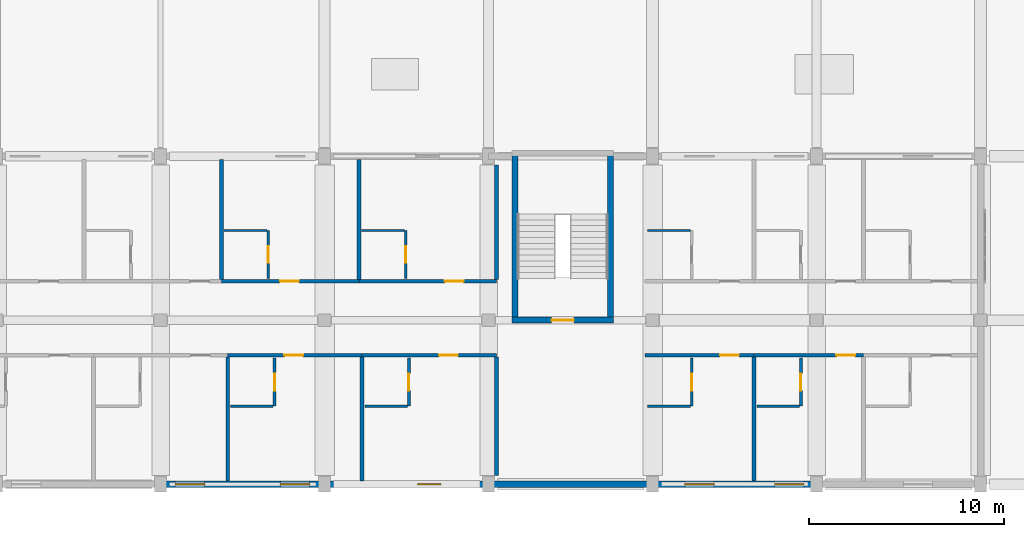
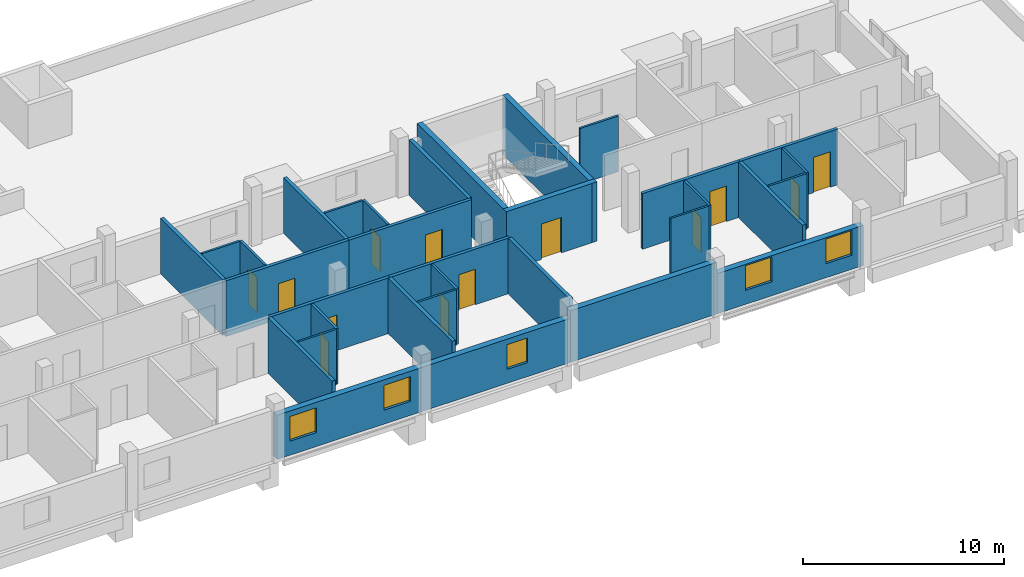
# One storey, part 37 of 42: 32 walls, 13 doors, 5 windows, 18 openings.
"""IFC4 building model written with IfcOpenShell, lengths in metres."""

from ifc_helpers import new_model, si_unit, derived_unit, direction, frame, frame_2d, origin, place, context, subcontext, project, spatial, rectangle, extrude, material, layer, layer_set, type_object, element, fill, save


model = new_model("IFC4")

# Units and contexts
model_context = context("Model", 3, precision=1e-05, world=origin(), true_north=direction((0.0, 1.0)))
body_context = subcontext(model_context, "Body", "Model", "MODEL_VIEW")
ifc_project = project(units=[si_unit("LENGTHUNIT", "METRE"), si_unit("AREAUNIT", "SQUARE_METRE"), si_unit("VOLUMEUNIT", "CUBIC_METRE"), si_unit("PLANEANGLEUNIT", "RADIAN"), si_unit("MASSUNIT", "GRAM", prefix="KILO"), derived_unit("THERMALTRANSMITTANCEUNIT", [(si_unit("POWERUNIT", "WATT"), 1), (si_unit("LENGTHUNIT", "METRE"), -2), (si_unit("THERMODYNAMICTEMPERATUREUNIT", "KELVIN"), -1)])], contexts=[model_context])

# Site, building, storey
site_placement = place(None, origin())
site = spatial("IfcSite", under=ifc_project, at=site_placement, CompositionType="ELEMENT")
building_placement = place(site_placement, origin())
building = spatial("IfcBuilding", under=site, at=building_placement, Name="Barrovel Congress Hotel", CompositionType="ELEMENT")
storey_placement = place(building_placement, frame((0.0, 0.0, 18.300048828125)))
storey = spatial("IfcBuildingStorey", under=building, at=storey_placement, Name="L04", CompositionType="ELEMENT", Elevation=18.300048828125)

# Wall, openings, windows
ifc_material_1 = material(Name="Fired Clay Brick Masonry", Category="masonry")
ifc_layer_1 = layer(ifc_material_1, 0.340087890625)
ifc_layer_set_1 = layer_set([ifc_layer_1], Name="Fired Clay Brick Masonry")
wall_type_1 = type_object("IfcWallType", Name="EW-BRK340", PredefinedType="STANDARD", material=ifc_layer_set_1)
wall_1_placement = place(storey_placement, frame((126.0, 4.199951171875, 0.0), z_axis=(0.0, 0.0, 1.0), x_axis=(1.0, 0.0, 0.0)))
wall_1 = element("IfcWall", 1, at=wall_1_placement, inside=storey, type_object=wall_type_1, Name="EW:L04:HS-S:P12", PredefinedType="STANDARD", context=body_context, shape_type="SweptSolid", body=[
    extrude(rectangle(XDim=16.800048828125, YDim=0.340087890625, at=frame_2d((8.39990234375, 0.0))), origin(), (0.0, 0.0, 1.0), 2.679931640625),
])
opening_1_placement = place(wall_1_placement, frame((0.75, 0.0, 0.85009765625)))
opening_1 = element("IfcOpeningElement", 2, at=opening_1_placement, cuts=wall_1, Name="Opening WN-07", PredefinedType="OPENING", context=body_context, shape_type="SweptSolid", body=[
    extrude(rectangle(XDim=1.5, YDim=1.5, at=frame_2d((0.75, 0.75))), frame((0.0, 0.18017578125, 0.0), z_axis=(0.0, -1.0, 0.0), x_axis=(1.0, 0.0, 0.0)), (0.0, 0.0, 1.0), 0.360107421875),
])
opening_2_placement = place(wall_1_placement, frame((6.1298828125, 0.0, 0.85009765625)))
opening_2 = element("IfcOpeningElement", 3, at=opening_2_placement, cuts=wall_1, Name="Opening WN-07", PredefinedType="OPENING", context=body_context, shape_type="SweptSolid", body=[
    extrude(rectangle(XDim=1.5, YDim=1.5, at=frame_2d((0.75, 0.75))), frame((0.0, 0.18017578125, 0.0), z_axis=(0.0, -1.0, 0.0), x_axis=(1.0, 0.0, 0.0)), (0.0, 0.0, 1.0), 0.360107421875),
])
opening_3_placement = place(wall_1_placement, frame((13.159912109375, 0.0, 0.85009765625)))
opening_3 = element("IfcOpeningElement", 4, at=opening_3_placement, cuts=wall_1, Name="Opening WN-06", PredefinedType="OPENING", context=body_context, shape_type="SweptSolid", body=[
    extrude(rectangle(XDim=1.199951171875, YDim=1.5, at=frame_2d((0.60009765625, 0.75))), frame((0.0, 0.18017578125, 0.0), z_axis=(0.0, -1.0, 0.0), x_axis=(1.0, 0.0, 0.0)), (0.0, 0.0, 1.0), 0.360107421875),
])
ifc_material_2 = material(Name="Double Low-E Insulated Glazing", Category="glass")
window_type_1 = type_object("IfcWindowType", Name="WIN-WN-06", PartitioningType="SINGLE_PANEL", PredefinedType="WINDOW", material=ifc_material_2)
window_1_placement = place(opening_3_placement, origin())
window_1 = element("IfcWindow", 5, at=window_1_placement, inside=storey, type_object=window_type_1, Name="WIN:L04:U17", OverallHeight=1.5, OverallWidth=1.199951171875, PartitioningType="SINGLE_PANEL", PredefinedType="WINDOW", context=body_context, shape_type="SweptSolid", body=[
    extrude(rectangle(XDim=1.199951171875, YDim=1.5, at=frame_2d((0.60009765625, 0.75))), frame((0.0, 0.030029296875, 0.0), z_axis=(0.0, -1.0, 0.0), x_axis=(1.0, 0.0, 0.0)), (0.0, 0.0, 1.0), 0.06005859375),
])
fill(opening_3, window_1)
window_type_2 = type_object("IfcWindowType", Name="WIN-WN-07", PartitioningType="SINGLE_PANEL", PredefinedType="WINDOW", material=ifc_material_2)
window_2_placement = place(opening_1_placement, origin())
window_2 = element("IfcWindow", 6, at=window_2_placement, inside=storey, type_object=window_type_2, Name="WIN:L04:U15", OverallHeight=1.5, OverallWidth=1.5, PartitioningType="SINGLE_PANEL", PredefinedType="WINDOW", context=body_context, shape_type="SweptSolid", body=[
    extrude(rectangle(XDim=1.5, YDim=1.5, at=frame_2d((0.75, 0.75))), frame((0.0, 0.030029296875, 0.0), z_axis=(0.0, -1.0, 0.0), x_axis=(1.0, 0.0, 0.0)), (0.0, 0.0, 1.0), 0.06005859375),
])
fill(opening_1, window_2)
window_3_placement = place(opening_2_placement, origin())
window_3 = element("IfcWindow", 7, at=window_3_placement, inside=storey, type_object=window_type_2, Name="WIN:L04:U16", OverallHeight=1.5, OverallWidth=1.5, PartitioningType="SINGLE_PANEL", PredefinedType="WINDOW", context=body_context, shape_type="SweptSolid", body=[
    extrude(rectangle(XDim=1.5, YDim=1.5, at=frame_2d((0.75, 0.75))), frame((0.0, 0.030029296875, 0.0), z_axis=(0.0, -1.0, 0.0), x_axis=(1.0, 0.0, 0.0)), (0.0, 0.0, 1.0), 0.06005859375),
])
fill(opening_2, window_3)

# Wall
wall_2_placement = place(storey_placement, frame((142.800048828125, 4.199951171875, 0.0), z_axis=(0.0, 0.0, 1.0), x_axis=(1.0, 0.0, 0.0)))
element("IfcWall", 8, at=wall_2_placement, inside=storey, type_object=wall_type_1, Name="EW:L04:HS-S:P13", PredefinedType="STANDARD", context=body_context, shape_type="SweptSolid", body=[
    extrude(rectangle(XDim=8.39990234375, YDim=0.340087890625, at=frame_2d((4.199951171875, 0.0))), origin(), (0.0, 0.0, 1.0), 3.1259765625),
])

# Wall, openings, windows
wall_3_placement = place(storey_placement, frame((151.199951171875, 4.199951171875, 0.0), z_axis=(0.0, 0.0, 1.0), x_axis=(1.0, 0.0, 0.0)))
wall_3 = element("IfcWall", 9, at=wall_3_placement, inside=storey, type_object=wall_type_1, Name="EW:L04:HS-S:P14", PredefinedType="STANDARD", context=body_context, shape_type="SweptSolid", body=[
    extrude(rectangle(XDim=8.400146484375, YDim=0.340087890625, at=frame_2d((4.2001953125, 0.0))), origin(), (0.0, 0.0, 1.0), 2.429931640625),
])
opening_4_placement = place(wall_3_placement, frame((1.64990234375, 0.0, 0.85009765625)))
opening_4 = element("IfcOpeningElement", 10, at=opening_4_placement, cuts=wall_3, Name="Opening WN-07", PredefinedType="OPENING", context=body_context, shape_type="SweptSolid", body=[
    extrude(rectangle(XDim=1.5, YDim=1.5, at=frame_2d((0.75, 0.75))), frame((0.0, 0.18017578125, 0.0), z_axis=(0.0, -1.0, 0.0), x_axis=(1.0, 0.0, 0.0)), (0.0, 0.0, 1.0), 0.360107421875),
])
opening_5_placement = place(wall_3_placement, frame((6.25, 0.0, 0.85009765625)))
opening_5 = element("IfcOpeningElement", 11, at=opening_5_placement, cuts=wall_3, Name="Opening WN-07", PredefinedType="OPENING", context=body_context, shape_type="SweptSolid", body=[
    extrude(rectangle(XDim=1.5, YDim=1.5, at=frame_2d((0.75, 0.75))), frame((0.0, 0.18017578125, 0.0), z_axis=(0.0, -1.0, 0.0), x_axis=(1.0, 0.0, 0.0)), (0.0, 0.0, 1.0), 0.360107421875),
])
window_4_placement = place(opening_4_placement, origin())
window_4 = element("IfcWindow", 12, at=window_4_placement, inside=storey, type_object=window_type_2, Name="WIN:L04:U18", OverallHeight=1.5, OverallWidth=1.5, PartitioningType="SINGLE_PANEL", PredefinedType="WINDOW", context=body_context, shape_type="SweptSolid", body=[
    extrude(rectangle(XDim=1.5, YDim=1.5, at=frame_2d((0.75, 0.75))), frame((0.0, 0.030029296875, 0.0), z_axis=(0.0, -1.0, 0.0), x_axis=(1.0, 0.0, 0.0)), (0.0, 0.0, 1.0), 0.06005859375),
])
fill(opening_4, window_4)
window_5_placement = place(opening_5_placement, origin())
window_5 = element("IfcWindow", 13, at=window_5_placement, inside=storey, type_object=window_type_2, Name="WIN:L04:U19", OverallHeight=1.5, OverallWidth=1.5, PartitioningType="SINGLE_PANEL", PredefinedType="WINDOW", context=body_context, shape_type="SweptSolid", body=[
    extrude(rectangle(XDim=1.5, YDim=1.5, at=frame_2d((0.75, 0.75))), frame((0.0, 0.030029296875, 0.0), z_axis=(0.0, -1.0, 0.0), x_axis=(1.0, 0.0, 0.0)), (0.0, 0.0, 1.0), 0.06005859375),
])
fill(opening_5, window_5)

# Wall, opening, door
ifc_material_3 = material(Name="Gypsum Acoustic Stud", Category="gypsum")
ifc_layer_2 = layer(ifc_material_3, 0.179931640625)
ifc_layer_set_2 = layer_set([ifc_layer_2], Name="Gypsum Acoustic Stud")
wall_type_2 = type_object("IfcWallType", Name="PW-ACU-180", PredefinedType="PARTITIONING", material=ifc_layer_set_2)
wall_4_placement = place(storey_placement, frame((129.43994140625, 10.800048828125, 0.0), z_axis=(0.0, 0.0, 1.0), x_axis=(1.0, 0.0, 0.0)))
wall_4 = element("IfcWall", 14, at=wall_4_placement, inside=storey, type_object=wall_type_2, Name="PW:L04:U16:COR", PredefinedType="PARTITIONING", context=body_context, shape_type="SweptSolid", body=[
    extrude(rectangle(XDim=6.880126953125, YDim=0.179931640625, at=frame_2d((3.43994140625, 0.0))), origin(), (0.0, 0.0, 1.0), 3.375),
])
opening_6_placement = place(wall_4_placement, frame((2.902587890625, 0.0, 0.0)))
opening_6 = element("IfcOpeningElement", 15, at=opening_6_placement, cuts=wall_4, Name="Opening ID-HTL", PredefinedType="OPENING", context=body_context, shape_type="SweptSolid", body=[
    extrude(rectangle(XDim=0.9599609375, YDim=2.14990234375, at=frame_2d((0.47998046875, 1.074951171875))), frame((0.0, 0.10009765625, 0.0), z_axis=(0.0, -1.0, 0.0), x_axis=(1.0, 0.0, 0.0)), (0.0, 0.0, 1.0), 0.199951171875),
])
ifc_material_4 = material(Name="Solid Oak Acoustic Timber Door", Category="wood")
door_type_1 = type_object("IfcDoorType", Name="IDR-ID-HTL", OperationType="NOTDEFINED", PredefinedType="DOOR", material=ifc_material_4)
door_1_placement = place(opening_6_placement, origin())
door_1 = element("IfcDoor", 16, at=door_1_placement, inside=storey, type_object=door_type_1, Name="DR:L04:U16:ENT", OperationType="SINGLE_SWING_RIGHT", OverallHeight=2.14990234375, OverallWidth=0.9599609375, PredefinedType="DOOR", context=body_context, shape_type="SweptSolid", body=[
    extrude(rectangle(XDim=0.9599609375, YDim=2.14990234375, at=frame_2d((0.47998046875, 1.074951171875))), frame((0.0, 0.02490234375, 0.0), z_axis=(0.0, -1.0, 0.0), x_axis=(1.0, 0.0, 0.0)), (0.0, 0.0, 1.0), 0.050048828125),
])
fill(opening_6, door_1)

wall_5_placement = place(storey_placement, frame((136.320068359375, 10.800048828125, 0.0), z_axis=(0.0, 0.0, 1.0), x_axis=(1.0, 0.0, 0.0)))
wall_5 = element("IfcWall", 17, at=wall_5_placement, inside=storey, type_object=wall_type_2, Name="PW:L04:U17:COR", PredefinedType="PARTITIONING", context=body_context, shape_type="SweptSolid", body=[
    extrude(rectangle(XDim=6.8798828125, YDim=0.179931640625, at=frame_2d((3.43994140625, 0.0))), origin(), (0.0, 0.0, 1.0), 3.375),
])
opening_7_placement = place(wall_5_placement, frame((3.95263671875, 0.0, 0.0)))
opening_7 = element("IfcOpeningElement", 18, at=opening_7_placement, cuts=wall_5, Name="Opening ID-HTL", PredefinedType="OPENING", context=body_context, shape_type="SweptSolid", body=[
    extrude(rectangle(XDim=0.9599609375, YDim=2.14990234375, at=frame_2d((0.47998046875, 1.074951171875))), frame((0.0, 0.10009765625, 0.0), z_axis=(0.0, -1.0, 0.0), x_axis=(1.0, 0.0, 0.0)), (0.0, 0.0, 1.0), 0.199951171875),
])
door_2_placement = place(opening_7_placement, origin())
door_2 = element("IfcDoor", 19, at=door_2_placement, inside=storey, type_object=door_type_1, Name="DR:L04:U17:ENT", OperationType="SINGLE_SWING_RIGHT", OverallHeight=2.14990234375, OverallWidth=0.9599609375, PredefinedType="DOOR", context=body_context, shape_type="SweptSolid", body=[
    extrude(rectangle(XDim=0.9599609375, YDim=2.14990234375, at=frame_2d((0.47998046875, 1.074951171875))), frame((0.0, 0.02490234375, 0.0), z_axis=(0.0, -1.0, 0.0), x_axis=(1.0, 0.0, 0.0)), (0.0, 0.0, 1.0), 0.050048828125),
])
fill(opening_7, door_2)

wall_6_placement = place(storey_placement, frame((150.800048828125, 10.800048828125, 0.0), z_axis=(0.0, 0.0, 1.0), x_axis=(1.0, 0.0, 0.0)))
wall_6 = element("IfcWall", 20, at=wall_6_placement, inside=storey, type_object=wall_type_2, Name="PW:L04:U18:COR", PredefinedType="PARTITIONING", context=body_context, shape_type="SweptSolid", body=[
    extrude(rectangle(XDim=5.599853515625, YDim=0.179931640625, at=frame_2d((2.7998046875, 0.0))), origin(), (0.0, 0.0, 1.0), 3.375),
])
opening_8_placement = place(wall_6_placement, frame((3.85888671875, 0.0, 0.0)))
opening_8 = element("IfcOpeningElement", 21, at=opening_8_placement, cuts=wall_6, Name="Opening ID-HTL", PredefinedType="OPENING", context=body_context, shape_type="SweptSolid", body=[
    extrude(rectangle(XDim=0.9599609375, YDim=2.14990234375, at=frame_2d((0.47998046875, 1.074951171875))), frame((0.0, 0.10009765625, 0.0), z_axis=(0.0, -1.0, 0.0), x_axis=(1.0, 0.0, 0.0)), (0.0, 0.0, 1.0), 0.199951171875),
])
door_3_placement = place(opening_8_placement, origin())
door_3 = element("IfcDoor", 22, at=door_3_placement, inside=storey, type_object=door_type_1, Name="DR:L04:U18:ENT", OperationType="SINGLE_SWING_RIGHT", OverallHeight=2.14990234375, OverallWidth=0.9599609375, PredefinedType="DOOR", context=body_context, shape_type="SweptSolid", body=[
    extrude(rectangle(XDim=0.9599609375, YDim=2.14990234375, at=frame_2d((0.47998046875, 1.074951171875))), frame((0.0, 0.02490234375, 0.0), z_axis=(0.0, -1.0, 0.0), x_axis=(1.0, 0.0, 0.0)), (0.0, 0.0, 1.0), 0.050048828125),
])
fill(opening_8, door_3)

wall_7_placement = place(storey_placement, frame((156.39990234375, 10.800048828125, 0.0), z_axis=(0.0, 0.0, 1.0), x_axis=(1.0, 0.0, 0.0)))
wall_7 = element("IfcWall", 23, at=wall_7_placement, inside=storey, type_object=wall_type_2, Name="PW:L04:U19:COR", PredefinedType="PARTITIONING", context=body_context, shape_type="SweptSolid", body=[
    extrude(rectangle(XDim=5.60009765625, YDim=0.179931640625, at=frame_2d((2.800048828125, 0.0))), origin(), (0.0, 0.0, 1.0), 3.375),
])
opening_9_placement = place(wall_7_placement, frame((4.208984375, 0.0, 0.0)))
opening_9 = element("IfcOpeningElement", 24, at=opening_9_placement, cuts=wall_7, Name="Opening ID-HTL", PredefinedType="OPENING", context=body_context, shape_type="SweptSolid", body=[
    extrude(rectangle(XDim=0.9599609375, YDim=2.14990234375, at=frame_2d((0.47998046875, 1.074951171875))), frame((0.0, 0.10009765625, 0.0), z_axis=(0.0, -1.0, 0.0), x_axis=(1.0, 0.0, 0.0)), (0.0, 0.0, 1.0), 0.199951171875),
])
door_4_placement = place(opening_9_placement, origin())
door_4 = element("IfcDoor", 25, at=door_4_placement, inside=storey, type_object=door_type_1, Name="DR:L04:U19:ENT", OperationType="SINGLE_SWING_RIGHT", OverallHeight=2.14990234375, OverallWidth=0.9599609375, PredefinedType="DOOR", context=body_context, shape_type="SweptSolid", body=[
    extrude(rectangle(XDim=0.9599609375, YDim=2.14990234375, at=frame_2d((0.47998046875, 1.074951171875))), frame((0.0, 0.02490234375, 0.0), z_axis=(0.0, -1.0, 0.0), x_axis=(1.0, 0.0, 0.0)), (0.0, 0.0, 1.0), 0.050048828125),
])
fill(opening_9, door_4)

wall_8_placement = place(storey_placement, frame((129.1201171875, 14.60009765625, 0.0), z_axis=(0.0, 0.0, 1.0), x_axis=(1.0, 0.0, 0.0)))
wall_8 = element("IfcWall", 26, at=wall_8_placement, inside=storey, type_object=wall_type_2, Name="PW:L04:U28:COR", PredefinedType="PARTITIONING", context=body_context, shape_type="SweptSolid", body=[
    extrude(rectangle(XDim=7.039794921875, YDim=0.179931640625, at=frame_2d((3.52001953125, 0.0))), origin(), (0.0, 0.0, 1.0), 3.375),
])
opening_10_placement = place(wall_8_placement, frame((3.001708984375, 0.0, 0.0)))
opening_10 = element("IfcOpeningElement", 27, at=opening_10_placement, cuts=wall_8, Name="Opening ID-HTL", PredefinedType="OPENING", context=body_context, shape_type="SweptSolid", body=[
    extrude(rectangle(XDim=0.9599609375, YDim=2.14990234375, at=frame_2d((0.47998046875, 1.074951171875))), frame((0.0, 0.10009765625, 0.0), z_axis=(0.0, -1.0, 0.0), x_axis=(1.0, 0.0, 0.0)), (0.0, 0.0, 1.0), 0.199951171875),
])
door_5_placement = place(opening_10_placement, origin())
door_5 = element("IfcDoor", 28, at=door_5_placement, inside=storey, type_object=door_type_1, Name="DR:L04:U28:ENT", OperationType="SINGLE_SWING_RIGHT", OverallHeight=2.14990234375, OverallWidth=0.9599609375, PredefinedType="DOOR", context=body_context, shape_type="SweptSolid", body=[
    extrude(rectangle(XDim=0.9599609375, YDim=2.14990234375, at=frame_2d((0.47998046875, 1.074951171875))), frame((0.0, 0.02490234375, 0.0), z_axis=(0.0, -1.0, 0.0), x_axis=(1.0, 0.0, 0.0)), (0.0, 0.0, 1.0), 0.050048828125),
])
fill(opening_10, door_5)

wall_9_placement = place(storey_placement, frame((136.159912109375, 14.60009765625, 0.0), z_axis=(0.0, 0.0, 1.0), x_axis=(1.0, 0.0, 0.0)))
wall_9 = element("IfcWall", 29, at=wall_9_placement, inside=storey, type_object=wall_type_2, Name="PW:L04:U29:COR", PredefinedType="PARTITIONING", context=body_context, shape_type="SweptSolid", body=[
    extrude(rectangle(XDim=7.0400390625, YDim=0.179931640625, at=frame_2d((3.52001953125, 0.0))), origin(), (0.0, 0.0, 1.0), 3.375),
])
opening_11_placement = place(wall_9_placement, frame((4.40185546875, 0.0, 0.0)))
opening_11 = element("IfcOpeningElement", 30, at=opening_11_placement, cuts=wall_9, Name="Opening ID-HTL", PredefinedType="OPENING", context=body_context, shape_type="SweptSolid", body=[
    extrude(rectangle(XDim=0.9599609375, YDim=2.14990234375, at=frame_2d((0.47998046875, 1.074951171875))), frame((0.0, 0.10009765625, 0.0), z_axis=(0.0, -1.0, 0.0), x_axis=(1.0, 0.0, 0.0)), (0.0, 0.0, 1.0), 0.199951171875),
])
door_6_placement = place(opening_11_placement, origin())
door_6 = element("IfcDoor", 31, at=door_6_placement, inside=storey, type_object=door_type_1, Name="DR:L04:U29:ENT", OperationType="SINGLE_SWING_RIGHT", OverallHeight=2.14990234375, OverallWidth=0.9599609375, PredefinedType="DOOR", context=body_context, shape_type="SweptSolid", body=[
    extrude(rectangle(XDim=0.9599609375, YDim=2.14990234375, at=frame_2d((0.47998046875, 1.074951171875))), frame((0.0, 0.02490234375, 0.0), z_axis=(0.0, -1.0, 0.0), x_axis=(1.0, 0.0, 0.0)), (0.0, 0.0, 1.0), 0.050048828125),
])
fill(opening_11, door_6)

# Walls
ifc_layer_3 = layer(ifc_material_3, 0.1201171875)
ifc_layer_set_3 = layer_set([ifc_layer_3], Name="Gypsum Acoustic Stud")
wall_type_3 = type_object("IfcWallType", Name="PW-INT-120", PredefinedType="PARTITIONING", material=ifc_layer_set_3)
for number, where, z_axis, x_axis, name in (
    (32, (129.580078125, 8.199951171875, 0.0), (0.0, 0.0, 1.0), (1.0, 0.0, 0.0), "PW:L04:U16:B2"),
    (33, (136.4599609375, 8.199951171875, 0.0), (0.0, 0.0, 1.0), (1.0, 0.0, 0.0), "PW:L04:U17:B2"),
    (34, (150.93994140625, 8.199951171875, 0.0), (0.0, 0.0, 1.0), (1.0, 0.0, 0.0), "PW:L04:U18:B2"),
    (35, (156.5400390625, 8.199951171875, 0.0), (0.0, 0.0, 1.0), (1.0, 0.0, 0.0), "PW:L04:U19:B2"),
    (36, (129.260009765625, 17.199951171875, 0.0), (0.0, 0.0, 1.0), (1.0, 0.0, 0.0), "PW:L04:U28:B2"),
    (37, (136.300048828125, 17.199951171875, 0.0), (0.0, 0.0, 1.0), (1.0, 0.0, 0.0), "PW:L04:U29:B2"),
    (38, (150.93994140625, 17.199951171875, 0.0), (0.0, 0.0, 1.0), (1.0, 0.0, 0.0), "PW:L04:U30:B2"),
):
    element("IfcWall", number, at=place(storey_placement, frame(where, z_axis=z_axis, x_axis=x_axis)), inside=storey, type_object=wall_type_3, Name=name, PredefinedType="PARTITIONING", context=body_context, shape_type="SweptSolid", body=[
        extrude(rectangle(XDim=2.18994140625, YDim=0.1201171875, at=frame_2d((1.094970703125, 0.0))), origin(), (0.0, 0.0, 1.0), 3.375),
    ])
ifc_layer_4 = layer(ifc_material_1, 0.199951171875)
ifc_layer_set_4 = layer_set([ifc_layer_4], Name="Fired Clay Brick Masonry")
wall_type_4 = type_object("IfcWallType", Name="PW-MAS-200", PredefinedType="PARTITIONING", material=ifc_layer_set_4)
for number, where, z_axis, x_axis, name in (
    (39, (129.43994140625, 4.3701171875, 0.0), (0.0, 0.0, 1.0), (0.0, 1.0, 0.0), "PW:L04:U15:DEM"),
    (40, (136.320068359375, 4.3701171875, 0.0), (0.0, 0.0, 1.0), (0.0, 1.0, 0.0), "PW:L04:U16:DEM"),
):
    element("IfcWall", number, at=place(storey_placement, frame(where, z_axis=z_axis, x_axis=x_axis)), inside=storey, type_object=wall_type_4, Name=name, PredefinedType="PARTITIONING", context=body_context, shape_type="SweptSolid", body=[
        extrude(rectangle(XDim=6.33984375, YDim=0.199951171875, at=frame_2d((3.169921875, 0.0))), origin(), (0.0, 0.0, 1.0), 3.375),
    ])
wall_10_placement = place(storey_placement, frame((143.199951171875, 4.64990234375, 0.0), z_axis=(0.0, 0.0, 1.0), x_axis=(0.0, 1.0, 0.0)))
element("IfcWall", 41, at=wall_10_placement, inside=storey, type_object=wall_type_4, Name="PW:L04:U17:DEM", PredefinedType="PARTITIONING", context=body_context, shape_type="SweptSolid", body=[
    extrude(rectangle(XDim=6.06005859375, YDim=0.199951171875, at=frame_2d((3.030029296875, 0.0))), origin(), (0.0, 0.0, 1.0), 3.375),
])
wall_11_placement = place(storey_placement, frame((156.39990234375, 4.3701171875, 0.0), z_axis=(0.0, 0.0, 1.0), x_axis=(0.0, 1.0, 0.0)))
element("IfcWall", 42, at=wall_11_placement, inside=storey, type_object=wall_type_4, Name="PW:L04:U18:DEM", PredefinedType="PARTITIONING", context=body_context, shape_type="SweptSolid", body=[
    extrude(rectangle(XDim=6.33984375, YDim=0.199951171875, at=frame_2d((3.169921875, 0.0))), origin(), (0.0, 0.0, 1.0), 3.375),
])
for number, where, z_axis, x_axis, name in (
    (43, (129.1201171875, 14.68994140625, 0.0), (0.0, 0.0, 1.0), (0.0, 1.0, 0.0), "PW:L04:U27:DEM"),
    (44, (136.159912109375, 14.68994140625, 0.0), (0.0, 0.0, 1.0), (0.0, 1.0, 0.0), "PW:L04:U28:DEM"),
):
    element("IfcWall", number, at=place(storey_placement, frame(where, z_axis=z_axis, x_axis=x_axis)), inside=storey, type_object=wall_type_4, Name=name, PredefinedType="PARTITIONING", context=body_context, shape_type="SweptSolid", body=[
        extrude(rectangle(XDim=6.14013671875, YDim=0.199951171875, at=frame_2d((3.070068359375, 0.0))), origin(), (0.0, 0.0, 1.0), 3.375),
    ])
wall_12_placement = place(storey_placement, frame((143.199951171875, 14.68994140625, 0.0), z_axis=(0.0, 0.0, 1.0), x_axis=(0.0, 1.0, 0.0)))
element("IfcWall", 45, at=wall_12_placement, inside=storey, type_object=wall_type_4, Name="PW:L04:U29:DEM", PredefinedType="PARTITIONING", context=body_context, shape_type="SweptSolid", body=[
    extrude(rectangle(XDim=5.860107421875, YDim=0.199951171875, at=frame_2d((2.93017578125, 0.0))), origin(), (0.0, 0.0, 1.0), 3.375),
])

# Wall, opening, door
ifc_material_5 = material(Name="Gypsum Moisture Board", Category="gypsum")
ifc_layer_5 = layer(ifc_material_5, 0.139892578125)
ifc_layer_set_5 = layer_set([ifc_layer_5], Name="Gypsum Moisture Board")
wall_type_5 = type_object("IfcWallType", Name="PW-WET-140", PredefinedType="PARTITIONING", material=ifc_layer_set_5)
wall_13_placement = place(storey_placement, frame((131.840087890625, 8.199951171875, 0.0), z_axis=(0.0, 0.0, 1.0), x_axis=(0.0, 1.0, 0.0)))
wall_13 = element("IfcWall", 46, at=wall_13_placement, inside=storey, type_object=wall_type_5, Name="PW:L04:U16:B1", PredefinedType="PARTITIONING", context=body_context, shape_type="SweptSolid", body=[
    extrude(rectangle(XDim=2.4599609375, YDim=0.139892578125, at=frame_2d((1.22998046875, 0.0))), origin(), (0.0, 0.0, 1.0), 3.375),
])
opening_12_placement = place(wall_13_placement, frame((0.800048828125, 0.0, 0.0)))
opening_12 = element("IfcOpeningElement", 47, at=opening_12_placement, cuts=wall_13, Name="Opening ID-ENS", PredefinedType="OPENING", context=body_context, shape_type="SweptSolid", body=[
    extrude(rectangle(XDim=0.860107421875, YDim=2.10009765625, at=frame_2d((0.43017578125, 1.050048828125))), frame((0.0, 0.080078125, 0.0), z_axis=(0.0, -1.0, 0.0), x_axis=(1.0, 0.0, 0.0)), (0.0, 0.0, 1.0), 0.159912109375),
])
ifc_material_6 = material(Name="Lacquered Timber Moisture Door", Category="wood")
door_type_2 = type_object("IfcDoorType", Name="IDR-ID-ENS", OperationType="NOTDEFINED", PredefinedType="DOOR", material=ifc_material_6)
door_7_placement = place(opening_12_placement, origin())
door_7 = element("IfcDoor", 48, at=door_7_placement, inside=storey, type_object=door_type_2, Name="DR:L04:U16:ENS", OperationType="SINGLE_SWING_LEFT", OverallHeight=2.10009765625, OverallWidth=0.860107421875, PredefinedType="DOOR", context=body_context, shape_type="SweptSolid", body=[
    extrude(rectangle(XDim=0.860107421875, YDim=2.10009765625, at=frame_2d((0.43017578125, 1.050048828125))), frame((0.0, 0.02490234375, 0.0), z_axis=(0.0, -1.0, 0.0), x_axis=(1.0, 0.0, 0.0)), (0.0, 0.0, 1.0), 0.050048828125),
])
fill(opening_12, door_7)

wall_14_placement = place(storey_placement, frame((138.719970703125, 8.199951171875, 0.0), z_axis=(0.0, 0.0, 1.0), x_axis=(0.0, 1.0, 0.0)))
wall_14 = element("IfcWall", 49, at=wall_14_placement, inside=storey, type_object=wall_type_5, Name="PW:L04:U17:B1", PredefinedType="PARTITIONING", context=body_context, shape_type="SweptSolid", body=[
    extrude(rectangle(XDim=2.4599609375, YDim=0.139892578125, at=frame_2d((1.22998046875, 0.0))), origin(), (0.0, 0.0, 1.0), 3.375),
])
opening_13_placement = place(wall_14_placement, frame((0.800048828125, 0.0, 0.0)))
opening_13 = element("IfcOpeningElement", 50, at=opening_13_placement, cuts=wall_14, Name="Opening ID-ENS", PredefinedType="OPENING", context=body_context, shape_type="SweptSolid", body=[
    extrude(rectangle(XDim=0.860107421875, YDim=2.10009765625, at=frame_2d((0.43017578125, 1.050048828125))), frame((0.0, 0.080078125, 0.0), z_axis=(0.0, -1.0, 0.0), x_axis=(1.0, 0.0, 0.0)), (0.0, 0.0, 1.0), 0.159912109375),
])
door_8_placement = place(opening_13_placement, origin())
door_8 = element("IfcDoor", 51, at=door_8_placement, inside=storey, type_object=door_type_2, Name="DR:L04:U17:ENS", OperationType="SINGLE_SWING_LEFT", OverallHeight=2.10009765625, OverallWidth=0.860107421875, PredefinedType="DOOR", context=body_context, shape_type="SweptSolid", body=[
    extrude(rectangle(XDim=0.860107421875, YDim=2.10009765625, at=frame_2d((0.43017578125, 1.050048828125))), frame((0.0, 0.02490234375, 0.0), z_axis=(0.0, -1.0, 0.0), x_axis=(1.0, 0.0, 0.0)), (0.0, 0.0, 1.0), 0.050048828125),
])
fill(opening_13, door_8)

wall_15_placement = place(storey_placement, frame((153.199951171875, 8.199951171875, 0.0), z_axis=(0.0, 0.0, 1.0), x_axis=(0.0, 1.0, 0.0)))
wall_15 = element("IfcWall", 52, at=wall_15_placement, inside=storey, type_object=wall_type_5, Name="PW:L04:U18:B1", PredefinedType="PARTITIONING", context=body_context, shape_type="SweptSolid", body=[
    extrude(rectangle(XDim=2.4599609375, YDim=0.139892578125, at=frame_2d((1.22998046875, 0.0))), origin(), (0.0, 0.0, 1.0), 3.375),
])
opening_14_placement = place(wall_15_placement, frame((0.800048828125, 0.0, 0.0)))
opening_14 = element("IfcOpeningElement", 53, at=opening_14_placement, cuts=wall_15, Name="Opening ID-ENS", PredefinedType="OPENING", context=body_context, shape_type="SweptSolid", body=[
    extrude(rectangle(XDim=0.860107421875, YDim=2.10009765625, at=frame_2d((0.43017578125, 1.050048828125))), frame((0.0, 0.080078125, 0.0), z_axis=(0.0, -1.0, 0.0), x_axis=(1.0, 0.0, 0.0)), (0.0, 0.0, 1.0), 0.159912109375),
])
door_9_placement = place(opening_14_placement, origin())
door_9 = element("IfcDoor", 54, at=door_9_placement, inside=storey, type_object=door_type_2, Name="DR:L04:U18:ENS", OperationType="SINGLE_SWING_LEFT", OverallHeight=2.10009765625, OverallWidth=0.860107421875, PredefinedType="DOOR", context=body_context, shape_type="SweptSolid", body=[
    extrude(rectangle(XDim=0.860107421875, YDim=2.10009765625, at=frame_2d((0.43017578125, 1.050048828125))), frame((0.0, 0.02490234375, 0.0), z_axis=(0.0, -1.0, 0.0), x_axis=(1.0, 0.0, 0.0)), (0.0, 0.0, 1.0), 0.050048828125),
])
fill(opening_14, door_9)

wall_16_placement = place(storey_placement, frame((158.800048828125, 8.199951171875, 0.0), z_axis=(0.0, 0.0, 1.0), x_axis=(0.0, 1.0, 0.0)))
wall_16 = element("IfcWall", 55, at=wall_16_placement, inside=storey, type_object=wall_type_5, Name="PW:L04:U19:B1", PredefinedType="PARTITIONING", context=body_context, shape_type="SweptSolid", body=[
    extrude(rectangle(XDim=2.4599609375, YDim=0.139892578125, at=frame_2d((1.22998046875, 0.0))), origin(), (0.0, 0.0, 1.0), 3.375),
])
opening_15_placement = place(wall_16_placement, frame((0.800048828125, 0.0, 0.0)))
opening_15 = element("IfcOpeningElement", 56, at=opening_15_placement, cuts=wall_16, Name="Opening ID-ENS", PredefinedType="OPENING", context=body_context, shape_type="SweptSolid", body=[
    extrude(rectangle(XDim=0.860107421875, YDim=2.10009765625, at=frame_2d((0.43017578125, 1.050048828125))), frame((0.0, 0.080078125, 0.0), z_axis=(0.0, -1.0, 0.0), x_axis=(1.0, 0.0, 0.0)), (0.0, 0.0, 1.0), 0.159912109375),
])
door_10_placement = place(opening_15_placement, origin())
door_10 = element("IfcDoor", 57, at=door_10_placement, inside=storey, type_object=door_type_2, Name="DR:L04:U19:ENS", OperationType="SINGLE_SWING_LEFT", OverallHeight=2.10009765625, OverallWidth=0.860107421875, PredefinedType="DOOR", context=body_context, shape_type="SweptSolid", body=[
    extrude(rectangle(XDim=0.860107421875, YDim=2.10009765625, at=frame_2d((0.43017578125, 1.050048828125))), frame((0.0, 0.02490234375, 0.0), z_axis=(0.0, -1.0, 0.0), x_axis=(1.0, 0.0, 0.0)), (0.0, 0.0, 1.0), 0.050048828125),
])
fill(opening_15, door_10)

wall_17_placement = place(storey_placement, frame((131.52001953125, 14.739990234375, 0.0), z_axis=(0.0, 0.0, 1.0), x_axis=(0.0, 1.0, 0.0)))
wall_17 = element("IfcWall", 58, at=wall_17_placement, inside=storey, type_object=wall_type_5, Name="PW:L04:U28:B1", PredefinedType="PARTITIONING", context=body_context, shape_type="SweptSolid", body=[
    extrude(rectangle(XDim=2.4599609375, YDim=0.139892578125, at=frame_2d((1.22998046875, 0.0))), origin(), (0.0, 0.0, 1.0), 3.375),
])
opening_16_placement = place(wall_17_placement, frame((0.800048828125, 0.0, 0.0)))
opening_16 = element("IfcOpeningElement", 59, at=opening_16_placement, cuts=wall_17, Name="Opening ID-ENS", PredefinedType="OPENING", context=body_context, shape_type="SweptSolid", body=[
    extrude(rectangle(XDim=0.860107421875, YDim=2.10009765625, at=frame_2d((0.43017578125, 1.050048828125))), frame((0.0, 0.080078125, 0.0), z_axis=(0.0, -1.0, 0.0), x_axis=(1.0, 0.0, 0.0)), (0.0, 0.0, 1.0), 0.159912109375),
])
door_11_placement = place(opening_16_placement, origin())
door_11 = element("IfcDoor", 60, at=door_11_placement, inside=storey, type_object=door_type_2, Name="DR:L04:U28:ENS", OperationType="SINGLE_SWING_LEFT", OverallHeight=2.10009765625, OverallWidth=0.860107421875, PredefinedType="DOOR", context=body_context, shape_type="SweptSolid", body=[
    extrude(rectangle(XDim=0.860107421875, YDim=2.10009765625, at=frame_2d((0.43017578125, 1.050048828125))), frame((0.0, 0.02490234375, 0.0), z_axis=(0.0, -1.0, 0.0), x_axis=(1.0, 0.0, 0.0)), (0.0, 0.0, 1.0), 0.050048828125),
])
fill(opening_16, door_11)

wall_18_placement = place(storey_placement, frame((138.56005859375, 14.739990234375, 0.0), z_axis=(0.0, 0.0, 1.0), x_axis=(0.0, 1.0, 0.0)))
wall_18 = element("IfcWall", 61, at=wall_18_placement, inside=storey, type_object=wall_type_5, Name="PW:L04:U29:B1", PredefinedType="PARTITIONING", context=body_context, shape_type="SweptSolid", body=[
    extrude(rectangle(XDim=2.4599609375, YDim=0.139892578125, at=frame_2d((1.22998046875, 0.0))), origin(), (0.0, 0.0, 1.0), 3.375),
])
opening_17_placement = place(wall_18_placement, frame((0.800048828125, 0.0, 0.0)))
opening_17 = element("IfcOpeningElement", 62, at=opening_17_placement, cuts=wall_18, Name="Opening ID-ENS", PredefinedType="OPENING", context=body_context, shape_type="SweptSolid", body=[
    extrude(rectangle(XDim=0.860107421875, YDim=2.10009765625, at=frame_2d((0.43017578125, 1.050048828125))), frame((0.0, 0.080078125, 0.0), z_axis=(0.0, -1.0, 0.0), x_axis=(1.0, 0.0, 0.0)), (0.0, 0.0, 1.0), 0.159912109375),
])
door_12_placement = place(opening_17_placement, origin())
door_12 = element("IfcDoor", 63, at=door_12_placement, inside=storey, type_object=door_type_2, Name="DR:L04:U29:ENS", OperationType="SINGLE_SWING_LEFT", OverallHeight=2.10009765625, OverallWidth=0.860107421875, PredefinedType="DOOR", context=body_context, shape_type="SweptSolid", body=[
    extrude(rectangle(XDim=0.860107421875, YDim=2.10009765625, at=frame_2d((0.43017578125, 1.050048828125))), frame((0.0, 0.02490234375, 0.0), z_axis=(0.0, -1.0, 0.0), x_axis=(1.0, 0.0, 0.0)), (0.0, 0.0, 1.0), 0.050048828125),
])
fill(opening_17, door_12)

ifc_material_7 = material(Name="Concrete C40", Category="concrete")
ifc_layer_6 = layer(ifc_material_7, 0.300048828125)
ifc_layer_set_6 = layer_set([ifc_layer_6], Name="Concrete C40")
wall_type_6 = type_object("IfcWallType", Name="SW-C40-300", PredefinedType="SHEAR", material=ifc_layer_set_6)
wall_19_placement = place(storey_placement, frame((144.0, 12.610107421875, 0.0), z_axis=(0.0, 0.0, 1.0), x_axis=(1.0, 0.0, 0.0)))
wall_19 = element("IfcWall", 64, at=wall_19_placement, inside=storey, type_object=wall_type_6, Name="SHW:XS-04:L04:S", PredefinedType="SHEAR", context=body_context, shape_type="SweptSolid", body=[
    extrude(rectangle(XDim=5.199951171875, YDim=0.300048828125, at=frame_2d((2.60009765625, 0.0))), origin(), (0.0, 0.0, 1.0), 3.599853515625),
])
opening_18_placement = place(wall_19_placement, frame((2.02490234375, 0.0, 0.0)))
opening_18 = element("IfcOpeningElement", 65, at=opening_18_placement, cuts=wall_19, Name="Opening ID-ST1", PredefinedType="OPENING", context=body_context, shape_type="SweptSolid", body=[
    extrude(rectangle(XDim=1.14990234375, YDim=2.14990234375, at=frame_2d((0.574951171875, 1.074951171875))), frame((0.0, 0.16015625, 0.0), z_axis=(0.0, -1.0, 0.0), x_axis=(1.0, 0.0, 0.0)), (0.0, 0.0, 1.0), 0.320068359375),
])
ifc_material_8 = material(Name="Painted Hollow-Metal Steel Door", Category="steel")
door_type_3 = type_object("IfcDoorType", Name="IDR-ID-ST1", OperationType="NOTDEFINED", PredefinedType="DOOR", material=ifc_material_8)
door_13_placement = place(opening_18_placement, origin())
door_13 = element("IfcDoor", 66, at=door_13_placement, inside=storey, type_object=door_type_3, Name="Stair Core Fire Door XS-04-L04", OperationType="SINGLE_SWING_LEFT", OverallHeight=2.14990234375, OverallWidth=1.14990234375, PredefinedType="DOOR", context=body_context, shape_type="SweptSolid", body=[
    extrude(rectangle(XDim=1.14990234375, YDim=2.14990234375, at=frame_2d((0.574951171875, 1.074951171875))), frame((0.0, 0.02490234375, 0.0), z_axis=(0.0, -1.0, 0.0), x_axis=(1.0, 0.0, 0.0)), (0.0, 0.0, 1.0), 0.050048828125),
])
fill(opening_18, door_13)

# Walls
for number, where, z_axis, x_axis, name in (
    (67, (149.050048828125, 12.4599609375, 0.0), (0.0, 0.0, 1.0), (0.0, 1.0, 0.0), "SHW:XS-04:L04:E"),
    (68, (144.14990234375, 21.300048828125, 0.0), (0.0, 0.0, 1.0), (0.0, -1.0, 0.0), "SHW:XS-04:L04:W"),
):
    element("IfcWall", number, at=place(storey_placement, frame(where, z_axis=z_axis, x_axis=x_axis)), inside=storey, type_object=wall_type_6, Name=name, PredefinedType="SHEAR", context=body_context, shape_type="SweptSolid", body=[
        extrude(rectangle(XDim=8.840087890625, YDim=0.300048828125, at=frame_2d((4.419921875, 0.0))), origin(), (0.0, 0.0, 1.0), 3.599853515625),
    ])

save(model, "model.ifc")
